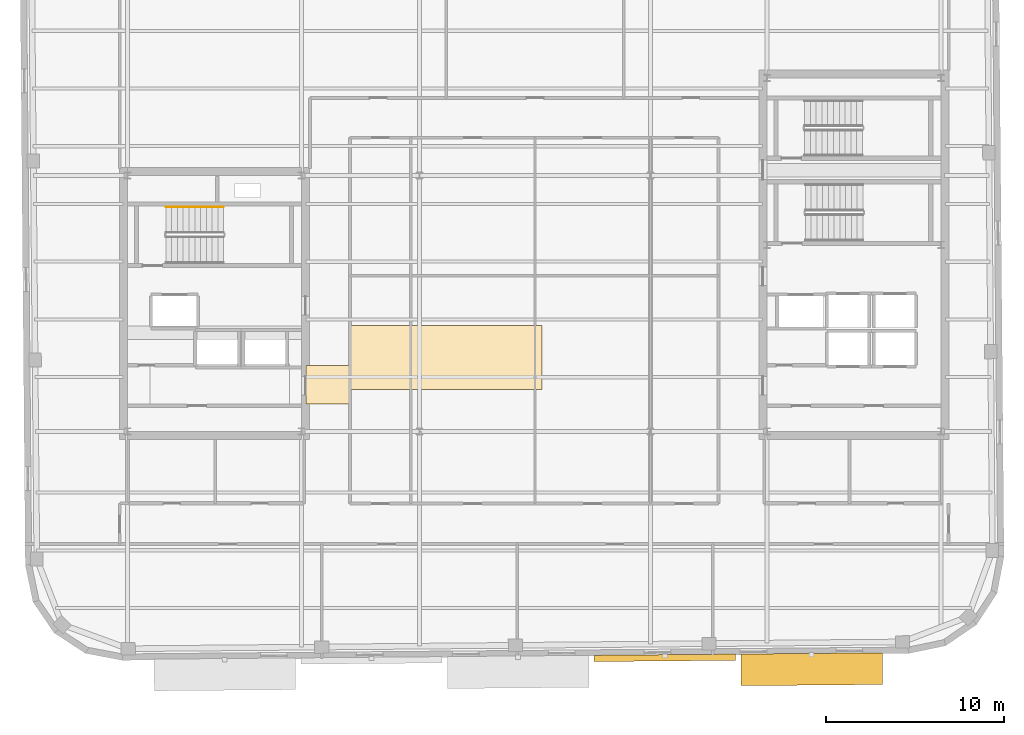
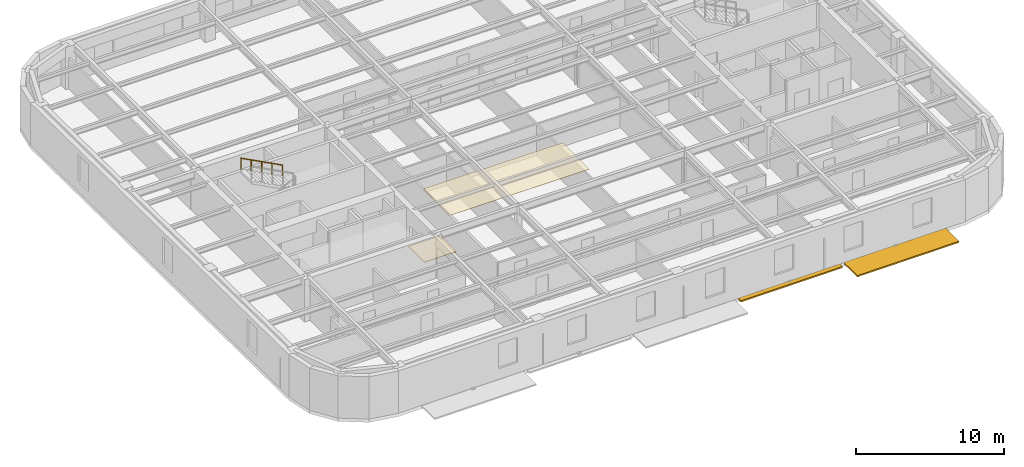
# One storey, part 12 of 14: 2 coverings, 2 shading devices, 1 railing.
"""IFC4 building model written with IfcOpenShell, lengths in metres."""

from ifc_helpers import new_model, si_unit, direction, frame, origin, origin_2d, place, context, subcontext, project, spatial, polyline, rectangle, circle, outline, extrude, material, layer, layer_set, type_object, element, save


model = new_model("IFC4")

# Units and contexts
model_context = context("Model", 3, precision=1e-05, world=origin(), true_north=direction((0.0, 1.0)))
body_context = subcontext(model_context, "Body", "Model", "MODEL_VIEW")
ifc_project = project(units=[si_unit("LENGTHUNIT", "METRE"), si_unit("AREAUNIT", "SQUARE_METRE"), si_unit("VOLUMEUNIT", "CUBIC_METRE"), si_unit("PLANEANGLEUNIT", "RADIAN"), si_unit("MASSUNIT", "GRAM", prefix="KILO")], contexts=[model_context])

# Site, building, storey
site_placement = place(None, origin())
site = spatial("IfcSite", under=ifc_project, at=site_placement, CompositionType="ELEMENT")
building_placement = place(site_placement, origin())
building = spatial("IfcBuilding", under=site, at=building_placement, Name="Kolvaren Arena Tower", CompositionType="ELEMENT")
storey_placement = place(building_placement, frame((0.0, 0.0, 289.89990234375)))
storey = spatial("IfcBuildingStorey", under=building, at=storey_placement, Name="L71", CompositionType="ELEMENT", Elevation=289.89990234375)

# Coverings
ifc_material_1 = material(Name="Mineral fibre acoustic ceiling tile", Category="gypsum")
ifc_layer_1 = layer(ifc_material_1, 0.02490234375)
ifc_layer_set_1 = layer_set([ifc_layer_1], Name="Mineral fibre acoustic ceiling tile")
covering_type_1 = type_object("IfcCoveringType", Name="CEIL-ACT-1", PredefinedType="CEILING", material=ifc_layer_set_1)
covering_1_placement = place(storey_placement, frame((0.0, 0.0, 2.52001953125)))
element("IfcCovering", 1, at=covering_1_placement, inside=storey, type_object=covering_type_1, Name="Suspended Ceiling (L71)", PredefinedType="CEILING", context=body_context, shape_type="SweptSolid", body=[
    extrude(outline(polyline([(27.050048828125, 21.800048828125), (27.050048828125, 25.39990234375), (37.89990234375, 25.39990234375), (37.89990234375, 21.800048828125), (27.050048828125, 21.800048828125)])), origin(), (0.0, 0.0, 1.0), 0.025146484375),
])
ifc_material_2 = material(Name="Raised access office floor finish", Category="aluminium")
ifc_layer_2 = layer(ifc_material_2, 0.044921875)
ifc_layer_set_2 = layer_set([ifc_layer_2], Name="Raised access office floor finish")
covering_type_2 = type_object("IfcCoveringType", Name="FLOR-RAF-1", PredefinedType="FLOORING", material=ifc_layer_set_2)
covering_2_placement = place(storey_placement, origin())
element("IfcCovering", 2, at=covering_2_placement, inside=storey, type_object=covering_type_2, Name="Floor Finish (L71)", PredefinedType="FLOORING", context=body_context, shape_type="SweptSolid", body=[
    extrude(outline(polyline([(24.60009765625, 21.0), (24.60009765625, 23.14990234375), (27.080078125, 23.14990234375), (27.080078125, 21.0), (24.60009765625, 21.0)])), origin(), (0.0, 0.0, 1.0), 0.045166015625),
])

# Railing
ifc_material_3 = material(Name="Brushed stainless steel handrail", Category="steel")
railing_type = type_object("IfcRailingType", Name="HRAIL-900", PredefinedType="HANDRAIL", material=ifc_material_3)
railing_placement = place(storey_placement, frame((19.9599609375, 32.080078125, 2.045654296875)))
element("IfcRailing", 3, at=railing_placement, inside=storey, type_object=railing_type, Name="L71 ST-W1 stair handrail 2", PredefinedType="HANDRAIL", context=body_context, shape_type="SweptSolid", body=[
    extrude(circle(Radius=0.02392578125, at=origin_2d()), frame((0.0, 0.0, 0.8759765625), z_axis=(-0.885020909582, 0.0, 0.465551274945), x_axis=(0.0, -1.0, 0.0)), (0.0, 0.0, 1.0), 3.660888671875),
    extrude(circle(Radius=0.02099609375, at=origin_2d()), origin(), (0.0, 0.0, 1.0), 0.851806640625),
    extrude(circle(Radius=0.02099609375, at=origin_2d()), frame((-0.81005859375, 0.0, 0.426025390625)), (0.0, 0.0, 1.0), 0.851806640625),
    extrude(circle(Radius=0.02099609375, at=origin_2d()), frame((-1.6201171875, 0.0, 0.85205078125)), (0.0, 0.0, 1.0), 0.851806640625),
    extrude(circle(Radius=0.02099609375, at=origin_2d()), frame((-2.429931640625, 0.0, 1.2783203125)), (0.0, 0.0, 1.0), 0.851806640625),
    extrude(circle(Radius=0.02099609375, at=origin_2d()), frame((-3.239990234375, 0.0, 1.704345703125)), (0.0, 0.0, 1.0), 0.851806640625),
])

# Shading devices
ifc_material_4 = material(Name="Architectural precast GFRC and anodised aluminium sunshade", Category="concrete")
shading_device_type_1 = type_object("IfcShadingDeviceType", Name="SHAD-SINE-A", PredefinedType="USERDEFINED", material=ifc_material_4)
shading_device_1_placement = place(storey_placement, frame((44.8076171875, 6.697509765625, -0.139892578125), z_axis=(0.0, 0.0, 1.0), x_axis=(-0.999961923064, -0.008726535498, 0.0)))
element("IfcShadingDevice", 4, at=shading_device_1_placement, inside=storey, type_object=shading_device_type_1, Name="Sinusoidal Slab-Edge Sunshade Louvre (L71)", ObjectType="LOUVRE", PredefinedType="USERDEFINED", context=body_context, shape_type="SweptSolid", body=[
    extrude(rectangle(XDim=7.9599609375, YDim=0.353759765625, at=origin_2d()), origin(), (0.0, 0.0, 1.0), 0.1201171875),
])
shading_device_type_2 = type_object("IfcShadingDeviceType", Name="SHAD-SINE-B", PredefinedType="JALOUSIE", material=ifc_material_4)
shading_device_2_placement = place(storey_placement, frame((53.073486328125, 6.053955078125, -0.139892578125), z_axis=(0.0, 0.0, 1.0), x_axis=(-0.999961923064, -0.008726535498, 0.0)))
element("IfcShadingDevice", 5, at=shading_device_2_placement, inside=storey, type_object=shading_device_type_2, Name="Sinusoidal Slab-Edge Sunshade Louvre (L71)", PredefinedType="JALOUSIE", context=body_context, shape_type="SweptSolid", body=[
    extrude(rectangle(XDim=7.9599609375, YDim=1.784912109375, at=origin_2d()), origin(), (0.0, 0.0, 1.0), 0.1201171875),
])

save(model, "model.ifc")
